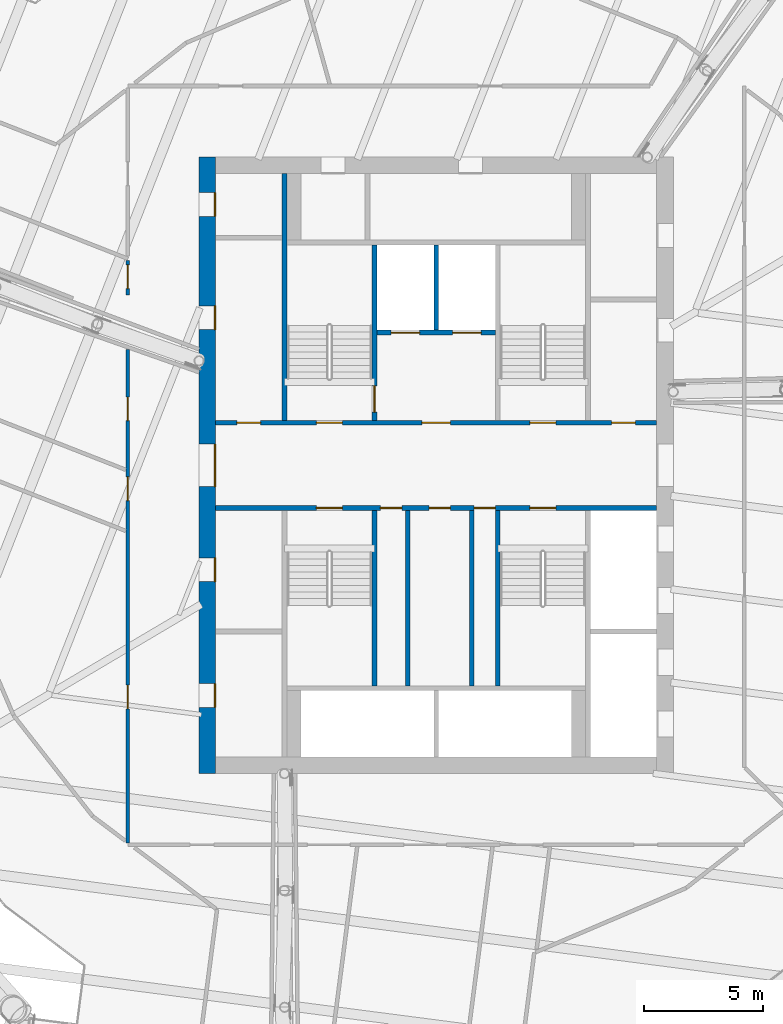
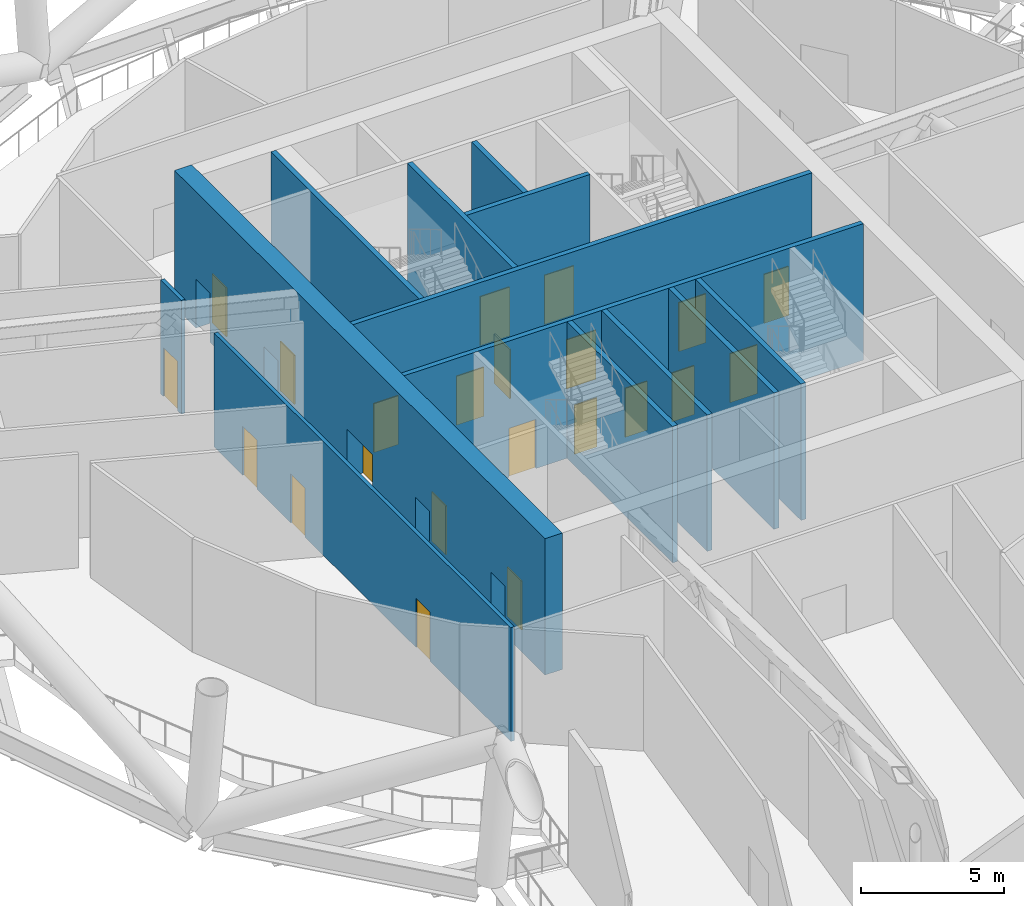
# One storey, part 12 of 36: 22 doors, 13 walls, 22 openings.
"""IFC4 building model written with IfcOpenShell, lengths in metres."""

from ifc_helpers import new_model, si_unit, direction, frame, frame_2d, origin, place, context, subcontext, project, spatial, rectangle, extrude, material, layer, layer_set, type_object, element, fill, save


model = new_model("IFC4")

# Units and contexts
model_context = context("Model", 3, precision=1e-05, world=origin(), true_north=direction((0.0, 1.0)))
body_context = subcontext(model_context, "Body", "Model", "MODEL_VIEW")
ifc_project = project(units=[si_unit("LENGTHUNIT", "METRE"), si_unit("AREAUNIT", "SQUARE_METRE"), si_unit("VOLUMEUNIT", "CUBIC_METRE"), si_unit("PLANEANGLEUNIT", "RADIAN"), si_unit("MASSUNIT", "GRAM", prefix="KILO")], contexts=[model_context])

# Site, building, storey
site_placement = place(None, origin())
site = spatial("IfcSite", under=ifc_project, at=site_placement, CompositionType="ELEMENT")
building_placement = place(site_placement, origin())
building = spatial("IfcBuilding", under=site, at=building_placement, Name="Tarsis Ring Headquarters", CompositionType="ELEMENT")
storey_placement = place(building_placement, frame((0.0, 0.0, 194.39990234375)))
storey = spatial("IfcBuildingStorey", under=building, at=storey_placement, Name="L45", CompositionType="ELEMENT", Elevation=194.39990234375)

# Walls
ifc_material_1 = material(Name="Blockwork", Category="masonry")
ifc_layer_1 = layer(ifc_material_1, 0.199951171875)
ifc_layer_set_1 = layer_set([ifc_layer_1], Name="Core blockwork wall 200")
wall_type_1 = type_object("IfcWallType", Name="Core blockwork wall 200", PredefinedType="PARTITIONING", material=ifc_layer_set_1)
for number, where, z_axis, x_axis, name in (
    (1, (-1.199951171875, -9.300048828125, 0.0), (0.0, 0.0, 1.0), (0.0, 1.0, 0.0), "Core partition SV1"),
    (2, (1.5, -9.300048828125, 0.0), (0.0, 0.0, 1.0), (0.0, 1.0, 0.0), "Core partition SV2"),
):
    element("IfcWall", number, at=place(storey_placement, frame(where, z_axis=z_axis, x_axis=x_axis)), inside=storey, type_object=wall_type_1, Name=name, PredefinedType="PARTITIONING", context=body_context, shape_type="SweptSolid", body=[
        extrude(rectangle(XDim=7.400146484375, YDim=0.199951171875, at=frame_2d((3.7001953125, 0.0))), origin(), (0.0, 0.0, 1.0), 5.840087890625),
    ])

# Wall, openings, doors
ifc_material_2 = material(Name="Concrete C50/60", Category="concrete")
ifc_layer_2 = layer(ifc_material_2, 0.699951171875)
ifc_layer_set_2 = layer_set([ifc_layer_2], Name="Core wall 700 C50/60")
wall_type_2 = type_object("IfcWallType", Name="Core wall 700 C50/60", PredefinedType="SHEAR", material=ifc_layer_set_2)
wall_1_placement = place(storey_placement, frame((-9.64990234375, -13.0, 0.0), z_axis=(0.0, 0.0, 1.0), x_axis=(0.0, 1.0, 0.0)))
wall_1 = element("IfcWall", 3, at=wall_1_placement, inside=storey, type_object=wall_type_2, Name="Core wall OW", PredefinedType="SHEAR", context=body_context, shape_type="SweptSolid", body=[
    extrude(rectangle(XDim=26.0, YDim=0.699951171875, at=frame_2d((13.0, 0.0))), origin(), (0.0, 0.0, 1.0), 5.840087890625),
])
opening_1_placement = place(wall_1_placement, frame((2.800048828125, 0.0, 0.0)))
opening_1 = element("IfcOpeningElement", 4, at=opening_1_placement, cuts=wall_1, Name="Opening L45-C01", PredefinedType="OPENING", context=body_context, shape_type="SweptSolid", body=[
    extrude(rectangle(XDim=1.0, YDim=2.10009765625, at=frame_2d((0.5, 1.050048828125))), frame((0.0, 0.35986328125, 0.0), z_axis=(0.0, -1.0, 0.0), x_axis=(1.0, 0.0, 0.0)), (0.0, 0.0, 1.0), 0.719970703125),
])
opening_2_placement = place(wall_1_placement, frame((8.10009765625, 0.0, 0.0)))
opening_2 = element("IfcOpeningElement", 5, at=opening_2_placement, cuts=wall_1, Name="Opening L45-C02", PredefinedType="OPENING", context=body_context, shape_type="SweptSolid", body=[
    extrude(rectangle(XDim=1.0, YDim=2.10009765625, at=frame_2d((0.5, 1.050048828125))), frame((0.0, 0.35986328125, 0.0), z_axis=(0.0, -1.0, 0.0), x_axis=(1.0, 0.0, 0.0)), (0.0, 0.0, 1.0), 0.719970703125),
])
opening_3_placement = place(wall_1_placement, frame((12.10009765625, 0.0, 0.0)))
opening_3 = element("IfcOpeningElement", 6, at=opening_3_placement, cuts=wall_1, Name="Opening L45-C03", PredefinedType="OPENING", context=body_context, shape_type="SweptSolid", body=[
    extrude(rectangle(XDim=1.800048828125, YDim=2.10009765625, at=frame_2d((0.89990234375, 1.050048828125))), frame((0.0, 0.35986328125, 0.0), z_axis=(0.0, -1.0, 0.0), x_axis=(1.0, 0.0, 0.0)), (0.0, 0.0, 1.0), 0.719970703125),
])
opening_4_placement = place(wall_1_placement, frame((18.72705078125, 0.0, 0.0)))
opening_4 = element("IfcOpeningElement", 7, at=opening_4_placement, cuts=wall_1, Name="Opening L45-C04", PredefinedType="OPENING", context=body_context, shape_type="SweptSolid", body=[
    extrude(rectangle(XDim=1.0, YDim=2.10009765625, at=frame_2d((0.5, 1.050048828125))), frame((0.0, 0.35986328125, 0.0), z_axis=(0.0, -1.0, 0.0), x_axis=(1.0, 0.0, 0.0)), (0.0, 0.0, 1.0), 0.719970703125),
])
opening_5_placement = place(wall_1_placement, frame((23.5, 0.0, 0.0)))
opening_5 = element("IfcOpeningElement", 8, at=opening_5_placement, cuts=wall_1, Name="Opening L45-C05", PredefinedType="OPENING", context=body_context, shape_type="SweptSolid", body=[
    extrude(rectangle(XDim=1.0, YDim=2.10009765625, at=frame_2d((0.5, 1.050048828125))), frame((0.0, 0.35986328125, 0.0), z_axis=(0.0, -1.0, 0.0), x_axis=(1.0, 0.0, 0.0)), (0.0, 0.0, 1.0), 0.719970703125),
])
ifc_material_3 = material(Name="Steel S355", Category="steel")
door_type_1 = type_object("IfcDoorType", Name="Core entry door 1800x2100", OperationType="DOUBLE_DOOR_SINGLE_SWING", PredefinedType="DOOR", material=ifc_material_3)
door_1_placement = place(opening_3_placement, origin())
door_1 = element("IfcDoor", 9, at=door_1_placement, inside=storey, type_object=door_type_1, Name="Core entry door L45", OperationType="DOUBLE_DOOR_SINGLE_SWING", OverallHeight=2.10009765625, OverallWidth=1.800048828125, PredefinedType="DOOR", context=body_context, shape_type="SweptSolid", body=[
    extrude(rectangle(XDim=1.800048828125, YDim=2.10009765625, at=frame_2d((0.89990234375, 1.050048828125))), frame((0.0, -0.2998046875, 0.0), z_axis=(0.0, -1.0, 0.0), x_axis=(1.0, 0.0, 0.0)), (0.0, 0.0, 1.0), 0.050048828125),
])
fill(opening_3, door_1)
door_type_2 = type_object("IfcDoorType", Name="Core room door 1000x2100", OperationType="SINGLE_SWING_LEFT", PredefinedType="DOOR", material=ifc_material_3)
door_2_placement = place(opening_1_placement, origin())
door_2 = element("IfcDoor", 10, at=door_2_placement, inside=storey, type_object=door_type_2, Name="Core room door L45", OperationType="SINGLE_SWING_LEFT", OverallHeight=2.10009765625, OverallWidth=1.0, PredefinedType="DOOR", context=body_context, shape_type="SweptSolid", body=[
    extrude(rectangle(XDim=1.0, YDim=2.10009765625, at=frame_2d((0.5, 1.050048828125))), frame((0.0, -0.2998046875, 0.0), z_axis=(0.0, -1.0, 0.0), x_axis=(1.0, 0.0, 0.0)), (0.0, 0.0, 1.0), 0.050048828125),
])
fill(opening_1, door_2)
door_3_placement = place(opening_2_placement, origin())
door_3 = element("IfcDoor", 11, at=door_3_placement, inside=storey, type_object=door_type_2, Name="Core room door L45", OperationType="SINGLE_SWING_LEFT", OverallHeight=2.10009765625, OverallWidth=1.0, PredefinedType="DOOR", context=body_context, shape_type="SweptSolid", body=[
    extrude(rectangle(XDim=1.0, YDim=2.10009765625, at=frame_2d((0.5, 1.050048828125))), frame((0.0, -0.2998046875, 0.0), z_axis=(0.0, -1.0, 0.0), x_axis=(1.0, 0.0, 0.0)), (0.0, 0.0, 1.0), 0.050048828125),
])
fill(opening_2, door_3)
door_4_placement = place(opening_4_placement, origin())
door_4 = element("IfcDoor", 12, at=door_4_placement, inside=storey, type_object=door_type_2, Name="Core room door L45", OperationType="SINGLE_SWING_LEFT", OverallHeight=2.10009765625, OverallWidth=1.0, PredefinedType="DOOR", context=body_context, shape_type="SweptSolid", body=[
    extrude(rectangle(XDim=1.0, YDim=2.10009765625, at=frame_2d((0.5, 1.050048828125))), frame((0.0, -0.2998046875, 0.0), z_axis=(0.0, -1.0, 0.0), x_axis=(1.0, 0.0, 0.0)), (0.0, 0.0, 1.0), 0.050048828125),
])
fill(opening_4, door_4)
door_5_placement = place(opening_5_placement, origin())
door_5 = element("IfcDoor", 13, at=door_5_placement, inside=storey, type_object=door_type_2, Name="Core room door L45", OperationType="SINGLE_SWING_LEFT", OverallHeight=2.10009765625, OverallWidth=1.0, PredefinedType="DOOR", context=body_context, shape_type="SweptSolid", body=[
    extrude(rectangle(XDim=1.0, YDim=2.10009765625, at=frame_2d((0.5, 1.050048828125))), frame((0.0, -0.2998046875, 0.0), z_axis=(0.0, -1.0, 0.0), x_axis=(1.0, 0.0, 0.0)), (0.0, 0.0, 1.0), 0.050048828125),
])
fill(opening_5, door_5)

ifc_material_4 = material(Name="Gypsum board on steel studs", Category="steel")
ifc_layer_3 = layer(ifc_material_4, 0.14990234375)
ifc_layer_set_3 = layer_set([ifc_layer_3], Name="FL partition 150 EI 120 H4870")
wall_type_3 = type_object("IfcWallType", Name="FL partition 150 EI 120 H4870", PredefinedType="PARTITIONING", material=ifc_layer_set_3)
wall_2_placement = place(storey_placement, frame((-13.0, -15.91796875, 0.0), z_axis=(0.0, 0.0, 1.0), x_axis=(0.0, 1.0, 0.0)))
wall_2 = element("IfcWall", 14, at=wall_2_placement, inside=storey, type_object=wall_type_3, Name="Partition PW2H487", PredefinedType="PARTITIONING", context=body_context, shape_type="SweptSolid", body=[
    extrude(rectangle(XDim=20.806884765625, YDim=0.14990234375, at=frame_2d((10.4033203125, 0.0))), origin(), (0.0, 0.0, 1.0), 4.8701171875),
])
opening_6_placement = place(wall_2_placement, frame((17.801513671875, 0.0, 0.0)))
opening_6 = element("IfcOpeningElement", 15, at=opening_6_placement, cuts=wall_2, Name="Opening D45.02", PredefinedType="OPENING", context=body_context, shape_type="SweptSolid", body=[
    extrude(rectangle(XDim=1.0, YDim=2.10009765625, at=frame_2d((0.5, 1.050048828125))), frame((0.0, 0.0849609375, 0.0), z_axis=(0.0, -1.0, 0.0), x_axis=(1.0, 0.0, 0.0)), (0.0, 0.0, 1.0), 0.169921875),
])
opening_7_placement = place(wall_2_placement, frame((5.648681640625, 0.0, 0.0)))
opening_7 = element("IfcOpeningElement", 16, at=opening_7_placement, cuts=wall_2, Name="Opening D45.03", PredefinedType="OPENING", context=body_context, shape_type="SweptSolid", body=[
    extrude(rectangle(XDim=1.0, YDim=2.10009765625, at=frame_2d((0.5, 1.050048828125))), frame((0.0, 0.0849609375, 0.0), z_axis=(0.0, -1.0, 0.0), x_axis=(1.0, 0.0, 0.0)), (0.0, 0.0, 1.0), 0.169921875),
])
opening_8_placement = place(wall_2_placement, frame((14.435791015625, 0.0, 0.0)))
opening_8 = element("IfcOpeningElement", 17, at=opening_8_placement, cuts=wall_2, Name="Opening D45.14", PredefinedType="OPENING", context=body_context, shape_type="SweptSolid", body=[
    extrude(rectangle(XDim=1.0, YDim=2.10009765625, at=frame_2d((0.5, 1.050048828125))), frame((0.0, 0.0849609375, 0.0), z_axis=(0.0, -1.0, 0.0), x_axis=(1.0, 0.0, 0.0)), (0.0, 0.0, 1.0), 0.169921875),
])
ifc_material_5 = material(Name="Fire-rated timber door leaf in steel frame", Category="steel")
door_type_3 = type_object("IfcDoorType", Name="FL door FD120-1000", OperationType="NOTDEFINED", PredefinedType="DOOR", material=ifc_material_5)
door_6_placement = place(opening_6_placement, origin())
door_6 = element("IfcDoor", 18, at=door_6_placement, inside=storey, type_object=door_type_3, Name="Door D45.02", OperationType="SINGLE_SWING_LEFT", OverallHeight=2.10009765625, OverallWidth=1.0, PredefinedType="DOOR", context=body_context, shape_type="SweptSolid", body=[
    extrude(rectangle(XDim=1.0, YDim=2.10009765625, at=frame_2d((0.5, 1.050048828125))), frame((0.0, 0.02490234375, 0.0), z_axis=(0.0, -1.0, 0.0), x_axis=(1.0, 0.0, 0.0)), (0.0, 0.0, 1.0), 0.050048828125),
])
fill(opening_6, door_6)
door_7_placement = place(opening_7_placement, origin())
door_7 = element("IfcDoor", 19, at=door_7_placement, inside=storey, type_object=door_type_3, Name="Door D45.03", OperationType="SINGLE_SWING_RIGHT", OverallHeight=2.10009765625, OverallWidth=1.0, PredefinedType="DOOR", context=body_context, shape_type="SweptSolid", body=[
    extrude(rectangle(XDim=1.0, YDim=2.10009765625, at=frame_2d((0.5, 1.050048828125))), frame((0.0, 0.02490234375, 0.0), z_axis=(0.0, -1.0, 0.0), x_axis=(1.0, 0.0, 0.0)), (0.0, 0.0, 1.0), 0.050048828125),
])
fill(opening_7, door_7)
door_8_placement = place(opening_8_placement, origin())
door_8 = element("IfcDoor", 20, at=door_8_placement, inside=storey, type_object=door_type_3, Name="Door D45.14", OperationType="SINGLE_SWING_LEFT", OverallHeight=2.10009765625, OverallWidth=1.0, PredefinedType="DOOR", context=body_context, shape_type="SweptSolid", body=[
    extrude(rectangle(XDim=1.0, YDim=2.10009765625, at=frame_2d((0.5, 1.050048828125))), frame((0.0, 0.02490234375, 0.0), z_axis=(0.0, -1.0, 0.0), x_axis=(1.0, 0.0, 0.0)), (0.0, 0.0, 1.0), 0.050048828125),
])
fill(opening_8, door_8)

# Wall, opening, door
wall_3_placement = place(storey_placement, frame((-13.0, 7.193603515625, 0.0), z_axis=(0.0, 0.0, 1.0), x_axis=(0.0, 1.0, 0.0)))
wall_3 = element("IfcWall", 21, at=wall_3_placement, inside=storey, type_object=wall_type_3, Name="Partition PW2H487", PredefinedType="PARTITIONING", context=body_context, shape_type="SweptSolid", body=[
    extrude(rectangle(XDim=1.45068359375, YDim=0.14990234375, at=frame_2d((0.725341796875, 0.0))), origin(), (0.0, 0.0, 1.0), 4.8701171875),
])
opening_9_placement = place(wall_3_placement, frame((0.26025390625, 0.0, 0.0)))
opening_9 = element("IfcOpeningElement", 22, at=opening_9_placement, cuts=wall_3, Name="Opening D45.13", PredefinedType="OPENING", context=body_context, shape_type="SweptSolid", body=[
    extrude(rectangle(XDim=1.0, YDim=2.10009765625, at=frame_2d((0.5, 1.050048828125))), frame((0.0, 0.0849609375, 0.0), z_axis=(0.0, -1.0, 0.0), x_axis=(1.0, 0.0, 0.0)), (0.0, 0.0, 1.0), 0.169921875),
])
door_9_placement = place(opening_9_placement, origin())
door_9 = element("IfcDoor", 23, at=door_9_placement, inside=storey, type_object=door_type_3, Name="Door D45.13", OperationType="SINGLE_SWING_RIGHT", OverallHeight=2.10009765625, OverallWidth=1.0, PredefinedType="DOOR", context=body_context, shape_type="SweptSolid", body=[
    extrude(rectangle(XDim=1.0, YDim=2.10009765625, at=frame_2d((0.5, 1.050048828125))), frame((0.0, 0.02490234375, 0.0), z_axis=(0.0, -1.0, 0.0), x_axis=(1.0, 0.0, 0.0)), (0.0, 0.0, 1.0), 0.050048828125),
])
fill(opening_9, door_9)

# Wall, openings, doors
ifc_material_6 = material(Name="Concrete C32/40", Category="concrete")
ifc_layer_4 = layer(ifc_material_6, 0.199951171875)
ifc_layer_set_4 = layer_set([ifc_layer_4], Name="Shaft wall 200 C32/40")
wall_type_4 = type_object("IfcWallType", Name="Shaft wall 200 C32/40", PredefinedType="SOLIDWALL", material=ifc_layer_set_4)
wall_4_placement = place(storey_placement, frame((-9.300048828125, 1.800048828125, 0.0), z_axis=(0.0, 0.0, 1.0), x_axis=(1.0, 0.0, 0.0)))
wall_4 = element("IfcWall", 24, at=wall_4_placement, inside=storey, type_object=wall_type_4, Name="Core shaft wall CN", PredefinedType="SOLIDWALL", context=body_context, shape_type="SweptSolid", body=[
    extrude(rectangle(XDim=18.60009765625, YDim=0.199951171875, at=frame_2d((9.300048828125, 0.0))), origin(), (0.0, 0.0, 1.0), 5.840087890625),
])
opening_10_placement = place(wall_4_placement, frame((0.89990234375, 0.0, 0.0)))
opening_10 = element("IfcOpeningElement", 25, at=opening_10_placement, cuts=wall_4, Name="Opening L45-C15", PredefinedType="OPENING", context=body_context, shape_type="SweptSolid", body=[
    extrude(rectangle(XDim=1.0, YDim=2.10009765625, at=frame_2d((0.5, 1.050048828125))), frame((0.0, 0.10986328125, 0.0), z_axis=(0.0, -1.0, 0.0), x_axis=(1.0, 0.0, 0.0)), (0.0, 0.0, 1.0), 0.219970703125),
])
opening_11_placement = place(wall_4_placement, frame((4.25, 0.0, 0.0)))
opening_11 = element("IfcOpeningElement", 26, at=opening_11_placement, cuts=wall_4, Name="Opening L45-C16", PredefinedType="OPENING", context=body_context, shape_type="SweptSolid", body=[
    extrude(rectangle(XDim=1.10009765625, YDim=2.10009765625, at=frame_2d((0.550048828125, 1.050048828125))), frame((0.0, 0.10986328125, 0.0), z_axis=(0.0, -1.0, 0.0), x_axis=(1.0, 0.0, 0.0)), (0.0, 0.0, 1.0), 0.219970703125),
])
opening_12_placement = place(wall_4_placement, frame((8.699951171875, 0.0, 0.0)))
opening_12 = element("IfcOpeningElement", 27, at=opening_12_placement, cuts=wall_4, Name="Opening L45-C17", PredefinedType="OPENING", context=body_context, shape_type="SweptSolid", body=[
    extrude(rectangle(XDim=1.199951171875, YDim=2.10009765625, at=frame_2d((0.60009765625, 1.050048828125))), frame((0.0, 0.10986328125, 0.0), z_axis=(0.0, -1.0, 0.0), x_axis=(1.0, 0.0, 0.0)), (0.0, 0.0, 1.0), 0.219970703125),
])
opening_13_placement = place(wall_4_placement, frame((13.25, 0.0, 0.0)))
opening_13 = element("IfcOpeningElement", 28, at=opening_13_placement, cuts=wall_4, Name="Opening L45-C18", PredefinedType="OPENING", context=body_context, shape_type="SweptSolid", body=[
    extrude(rectangle(XDim=1.10009765625, YDim=2.10009765625, at=frame_2d((0.550048828125, 1.050048828125))), frame((0.0, 0.10986328125, 0.0), z_axis=(0.0, -1.0, 0.0), x_axis=(1.0, 0.0, 0.0)), (0.0, 0.0, 1.0), 0.219970703125),
])
opening_14_placement = place(wall_4_placement, frame((16.699951171875, 0.0, 0.0)))
opening_14 = element("IfcOpeningElement", 29, at=opening_14_placement, cuts=wall_4, Name="Opening L45-C19", PredefinedType="OPENING", context=body_context, shape_type="SweptSolid", body=[
    extrude(rectangle(XDim=1.0, YDim=2.10009765625, at=frame_2d((0.5, 1.050048828125))), frame((0.0, 0.10986328125, 0.0), z_axis=(0.0, -1.0, 0.0), x_axis=(1.0, 0.0, 0.0)), (0.0, 0.0, 1.0), 0.219970703125),
])
door_10_placement = place(opening_10_placement, origin())
door_10 = element("IfcDoor", 30, at=door_10_placement, inside=storey, type_object=door_type_2, Name="Core room door L45", OperationType="SINGLE_SWING_LEFT", OverallHeight=2.10009765625, OverallWidth=1.0, PredefinedType="DOOR", context=body_context, shape_type="SweptSolid", body=[
    extrude(rectangle(XDim=1.0, YDim=2.10009765625, at=frame_2d((0.5, 1.050048828125))), frame((0.0, 0.02490234375, 0.0), z_axis=(0.0, -1.0, 0.0), x_axis=(1.0, 0.0, 0.0)), (0.0, 0.0, 1.0), 0.050048828125),
])
fill(opening_10, door_10)
door_11_placement = place(opening_14_placement, origin())
door_11 = element("IfcDoor", 31, at=door_11_placement, inside=storey, type_object=door_type_2, Name="Core room door L45", OperationType="SINGLE_SWING_LEFT", OverallHeight=2.10009765625, OverallWidth=1.0, PredefinedType="DOOR", context=body_context, shape_type="SweptSolid", body=[
    extrude(rectangle(XDim=1.0, YDim=2.10009765625, at=frame_2d((0.5, 1.050048828125))), frame((0.0, 0.02490234375, 0.0), z_axis=(0.0, -1.0, 0.0), x_axis=(1.0, 0.0, 0.0)), (0.0, 0.0, 1.0), 0.050048828125),
])
fill(opening_14, door_11)
door_type_4 = type_object("IfcDoorType", Name="Firefighting lobby door 1200x2100", OperationType="DOUBLE_DOOR_SINGLE_SWING", PredefinedType="DOOR", material=ifc_material_3)
door_12_placement = place(opening_12_placement, origin())
door_12 = element("IfcDoor", 32, at=door_12_placement, inside=storey, type_object=door_type_4, Name="Firefighting lobby door L45", OperationType="DOUBLE_DOOR_SINGLE_SWING", OverallHeight=2.10009765625, OverallWidth=1.199951171875, PredefinedType="DOOR", context=body_context, shape_type="SweptSolid", body=[
    extrude(rectangle(XDim=1.199951171875, YDim=2.10009765625, at=frame_2d((0.60009765625, 1.050048828125))), frame((0.0, 0.02490234375, 0.0), z_axis=(0.0, -1.0, 0.0), x_axis=(1.0, 0.0, 0.0)), (0.0, 0.0, 1.0), 0.050048828125),
])
fill(opening_12, door_12)
door_type_5 = type_object("IfcDoorType", Name="Stair door 1100x2100", OperationType="SINGLE_SWING_LEFT", PredefinedType="DOOR", material=ifc_material_3)
door_13_placement = place(opening_11_placement, origin())
door_13 = element("IfcDoor", 33, at=door_13_placement, inside=storey, type_object=door_type_5, Name="Stair door L45", OperationType="SINGLE_SWING_LEFT", OverallHeight=2.10009765625, OverallWidth=1.10009765625, PredefinedType="DOOR", context=body_context, shape_type="SweptSolid", body=[
    extrude(rectangle(XDim=1.10009765625, YDim=2.10009765625, at=frame_2d((0.550048828125, 1.050048828125))), frame((0.0, 0.02490234375, 0.0), z_axis=(0.0, -1.0, 0.0), x_axis=(1.0, 0.0, 0.0)), (0.0, 0.0, 1.0), 0.050048828125),
])
fill(opening_11, door_13)
door_14_placement = place(opening_13_placement, origin())
door_14 = element("IfcDoor", 34, at=door_14_placement, inside=storey, type_object=door_type_5, Name="Stair door L45", OperationType="SINGLE_SWING_LEFT", OverallHeight=2.10009765625, OverallWidth=1.10009765625, PredefinedType="DOOR", context=body_context, shape_type="SweptSolid", body=[
    extrude(rectangle(XDim=1.10009765625, YDim=2.10009765625, at=frame_2d((0.550048828125, 1.050048828125))), frame((0.0, 0.02490234375, 0.0), z_axis=(0.0, -1.0, 0.0), x_axis=(1.0, 0.0, 0.0)), (0.0, 0.0, 1.0), 0.050048828125),
])
fill(opening_13, door_14)

wall_5_placement = place(storey_placement, frame((-9.300048828125, -1.800048828125, 0.0), z_axis=(0.0, 0.0, 1.0), x_axis=(1.0, 0.0, 0.0)))
wall_5 = element("IfcWall", 35, at=wall_5_placement, inside=storey, type_object=wall_type_4, Name="Core shaft wall CS", PredefinedType="SOLIDWALL", context=body_context, shape_type="SweptSolid", body=[
    extrude(rectangle(XDim=18.60009765625, YDim=0.199951171875, at=frame_2d((9.300048828125, 0.0))), origin(), (0.0, 0.0, 1.0), 5.840087890625),
])
opening_15_placement = place(wall_5_placement, frame((4.25, 0.0, 0.0)))
opening_15 = element("IfcOpeningElement", 36, at=opening_15_placement, cuts=wall_5, Name="Opening L45-C20", PredefinedType="OPENING", context=body_context, shape_type="SweptSolid", body=[
    extrude(rectangle(XDim=1.10009765625, YDim=2.10009765625, at=frame_2d((0.550048828125, 1.050048828125))), frame((0.0, 0.10986328125, 0.0), z_axis=(0.0, -1.0, 0.0), x_axis=(1.0, 0.0, 0.0)), (0.0, 0.0, 1.0), 0.219970703125),
])
opening_16_placement = place(wall_5_placement, frame((6.949951171875, 0.0, 0.0)))
opening_16 = element("IfcOpeningElement", 37, at=opening_16_placement, cuts=wall_5, Name="Opening L45-C21", PredefinedType="OPENING", context=body_context, shape_type="SweptSolid", body=[
    extrude(rectangle(XDim=0.89990234375, YDim=2.10009765625, at=frame_2d((0.449951171875, 1.050048828125))), frame((0.0, 0.10986328125, 0.0), z_axis=(0.0, -1.0, 0.0), x_axis=(1.0, 0.0, 0.0)), (0.0, 0.0, 1.0), 0.219970703125),
])
opening_17_placement = place(wall_5_placement, frame((9.0, 0.0, 0.0)))
opening_17 = element("IfcOpeningElement", 38, at=opening_17_placement, cuts=wall_5, Name="Opening L45-C22", PredefinedType="OPENING", context=body_context, shape_type="SweptSolid", body=[
    extrude(rectangle(XDim=0.89990234375, YDim=2.10009765625, at=frame_2d((0.449951171875, 1.050048828125))), frame((0.0, 0.10986328125, 0.0), z_axis=(0.0, -1.0, 0.0), x_axis=(1.0, 0.0, 0.0)), (0.0, 0.0, 1.0), 0.219970703125),
])
opening_18_placement = place(wall_5_placement, frame((10.89990234375, 0.0, 0.0)))
opening_18 = element("IfcOpeningElement", 39, at=opening_18_placement, cuts=wall_5, Name="Opening L45-C23", PredefinedType="OPENING", context=body_context, shape_type="SweptSolid", body=[
    extrude(rectangle(XDim=0.89990234375, YDim=2.10009765625, at=frame_2d((0.449951171875, 1.050048828125))), frame((0.0, 0.10986328125, 0.0), z_axis=(0.0, -1.0, 0.0), x_axis=(1.0, 0.0, 0.0)), (0.0, 0.0, 1.0), 0.219970703125),
])
opening_19_placement = place(wall_5_placement, frame((13.25, 0.0, 0.0)))
opening_19 = element("IfcOpeningElement", 40, at=opening_19_placement, cuts=wall_5, Name="Opening L45-C24", PredefinedType="OPENING", context=body_context, shape_type="SweptSolid", body=[
    extrude(rectangle(XDim=1.10009765625, YDim=2.10009765625, at=frame_2d((0.550048828125, 1.050048828125))), frame((0.0, 0.10986328125, 0.0), z_axis=(0.0, -1.0, 0.0), x_axis=(1.0, 0.0, 0.0)), (0.0, 0.0, 1.0), 0.219970703125),
])
door_15_placement = place(opening_15_placement, origin())
door_15 = element("IfcDoor", 41, at=door_15_placement, inside=storey, type_object=door_type_5, Name="Stair door L45", OperationType="SINGLE_SWING_LEFT", OverallHeight=2.10009765625, OverallWidth=1.10009765625, PredefinedType="DOOR", context=body_context, shape_type="SweptSolid", body=[
    extrude(rectangle(XDim=1.10009765625, YDim=2.10009765625, at=frame_2d((0.550048828125, 1.050048828125))), frame((0.0, 0.02490234375, 0.0), z_axis=(0.0, -1.0, 0.0), x_axis=(1.0, 0.0, 0.0)), (0.0, 0.0, 1.0), 0.050048828125),
])
fill(opening_15, door_15)
door_16_placement = place(opening_19_placement, origin())
door_16 = element("IfcDoor", 42, at=door_16_placement, inside=storey, type_object=door_type_5, Name="Stair door L45", OperationType="SINGLE_SWING_LEFT", OverallHeight=2.10009765625, OverallWidth=1.10009765625, PredefinedType="DOOR", context=body_context, shape_type="SweptSolid", body=[
    extrude(rectangle(XDim=1.10009765625, YDim=2.10009765625, at=frame_2d((0.550048828125, 1.050048828125))), frame((0.0, 0.02490234375, 0.0), z_axis=(0.0, -1.0, 0.0), x_axis=(1.0, 0.0, 0.0)), (0.0, 0.0, 1.0), 0.050048828125),
])
fill(opening_19, door_16)
door_type_6 = type_object("IfcDoorType", Name="WC door 900x2100", OperationType="SINGLE_SWING_LEFT", PredefinedType="DOOR", material=ifc_material_3)
door_17_placement = place(opening_16_placement, origin())
door_17 = element("IfcDoor", 43, at=door_17_placement, inside=storey, type_object=door_type_6, Name="WC door L45", OperationType="SINGLE_SWING_LEFT", OverallHeight=2.10009765625, OverallWidth=0.89990234375, PredefinedType="DOOR", context=body_context, shape_type="SweptSolid", body=[
    extrude(rectangle(XDim=0.89990234375, YDim=2.10009765625, at=frame_2d((0.449951171875, 1.050048828125))), frame((0.0, 0.02490234375, 0.0), z_axis=(0.0, -1.0, 0.0), x_axis=(1.0, 0.0, 0.0)), (0.0, 0.0, 1.0), 0.050048828125),
])
fill(opening_16, door_17)
door_18_placement = place(opening_17_placement, origin())
door_18 = element("IfcDoor", 44, at=door_18_placement, inside=storey, type_object=door_type_6, Name="WC door L45", OperationType="SINGLE_SWING_LEFT", OverallHeight=2.10009765625, OverallWidth=0.89990234375, PredefinedType="DOOR", context=body_context, shape_type="SweptSolid", body=[
    extrude(rectangle(XDim=0.89990234375, YDim=2.10009765625, at=frame_2d((0.449951171875, 1.050048828125))), frame((0.0, 0.02490234375, 0.0), z_axis=(0.0, -1.0, 0.0), x_axis=(1.0, 0.0, 0.0)), (0.0, 0.0, 1.0), 0.050048828125),
])
fill(opening_17, door_18)
door_19_placement = place(opening_18_placement, origin())
door_19 = element("IfcDoor", 45, at=door_19_placement, inside=storey, type_object=door_type_6, Name="WC door L45", OperationType="SINGLE_SWING_LEFT", OverallHeight=2.10009765625, OverallWidth=0.89990234375, PredefinedType="DOOR", context=body_context, shape_type="SweptSolid", body=[
    extrude(rectangle(XDim=0.89990234375, YDim=2.10009765625, at=frame_2d((0.449951171875, 1.050048828125))), frame((0.0, 0.02490234375, 0.0), z_axis=(0.0, -1.0, 0.0), x_axis=(1.0, 0.0, 0.0)), (0.0, 0.0, 1.0), 0.050048828125),
])
fill(opening_18, door_19)

# Wall
wall_6_placement = place(storey_placement, frame((-6.39990234375, 1.89990234375, 0.0), z_axis=(0.0, 0.0, 1.0), x_axis=(0.0, 1.0, 0.0)))
element("IfcWall", 46, at=wall_6_placement, inside=storey, type_object=wall_type_4, Name="Core shaft wall WB2", PredefinedType="SOLIDWALL", context=body_context, shape_type="SweptSolid", body=[
    extrude(rectangle(XDim=10.400146484375, YDim=0.199951171875, at=frame_2d((5.2001953125, 0.0))), origin(), (0.0, 0.0, 1.0), 5.840087890625),
])

# Wall, opening, door
wall_7_placement = place(storey_placement, frame((-2.60009765625, 1.89990234375, 0.0), z_axis=(0.0, 0.0, 1.0), x_axis=(0.0, 1.0, 0.0)))
wall_7 = element("IfcWall", 47, at=wall_7_placement, inside=storey, type_object=wall_type_4, Name="Core shaft wall SW1", PredefinedType="SOLIDWALL", context=body_context, shape_type="SweptSolid", body=[
    extrude(rectangle(XDim=7.400146484375, YDim=0.199951171875, at=frame_2d((3.7001953125, 0.0))), origin(), (0.0, 0.0, 1.0), 5.840087890625),
])
opening_20_placement = place(wall_7_placement, frame((0.35009765625, 0.0, 0.0)))
opening_20 = element("IfcOpeningElement", 48, at=opening_20_placement, cuts=wall_7, Name="Opening L45-C25", PredefinedType="OPENING", context=body_context, shape_type="SweptSolid", body=[
    extrude(rectangle(XDim=1.10009765625, YDim=2.10009765625, at=frame_2d((0.550048828125, 1.050048828125))), frame((0.0, 0.10986328125, 0.0), z_axis=(0.0, -1.0, 0.0), x_axis=(1.0, 0.0, 0.0)), (0.0, 0.0, 1.0), 0.219970703125),
])
door_20_placement = place(opening_20_placement, origin())
door_20 = element("IfcDoor", 49, at=door_20_placement, inside=storey, type_object=door_type_5, Name="Stair door L45", OperationType="SINGLE_SWING_LEFT", OverallHeight=2.10009765625, OverallWidth=1.10009765625, PredefinedType="DOOR", context=body_context, shape_type="SweptSolid", body=[
    extrude(rectangle(XDim=1.10009765625, YDim=2.10009765625, at=frame_2d((0.550048828125, 1.050048828125))), frame((0.0, 0.02490234375, 0.0), z_axis=(0.0, -1.0, 0.0), x_axis=(1.0, 0.0, 0.0)), (0.0, 0.0, 1.0), 0.050048828125),
])
fill(opening_20, door_20)

# Walls
for number, where, z_axis, x_axis, name in (
    (50, (-2.60009765625, -9.300048828125, 0.0), (0.0, 0.0, 1.0), (0.0, 1.0, 0.0), "Core shaft wall SW3"),
    (51, (2.60009765625, -9.300048828125, 0.0), (0.0, 0.0, 1.0), (0.0, 1.0, 0.0), "Core shaft wall SW4"),
):
    element("IfcWall", number, at=place(storey_placement, frame(where, z_axis=z_axis, x_axis=x_axis)), inside=storey, type_object=wall_type_4, Name=name, PredefinedType="SOLIDWALL", context=body_context, shape_type="SweptSolid", body=[
        extrude(rectangle(XDim=7.400146484375, YDim=0.199951171875, at=frame_2d((3.7001953125, 0.0))), origin(), (0.0, 0.0, 1.0), 5.840087890625),
    ])

# Wall, openings, doors
wall_8_placement = place(storey_placement, frame((-2.5, 5.60009765625, 0.0), z_axis=(0.0, 0.0, 1.0), x_axis=(1.0, 0.0, 0.0)))
wall_8 = element("IfcWall", 52, at=wall_8_placement, inside=storey, type_object=wall_type_4, Name="Core shaft wall FFN", PredefinedType="SOLIDWALL", context=body_context, shape_type="SweptSolid", body=[
    extrude(rectangle(XDim=5.0, YDim=0.199951171875, at=frame_2d((2.5, 0.0))), origin(), (0.0, 0.0, 1.0), 5.840087890625),
])
opening_21_placement = place(wall_8_placement, frame((0.60009765625, 0.0, 0.0)))
opening_21 = element("IfcOpeningElement", 53, at=opening_21_placement, cuts=wall_8, Name="Opening LDF-1", PredefinedType="OPENING", context=body_context, shape_type="SweptSolid", body=[
    extrude(rectangle(XDim=1.199951171875, YDim=2.10009765625, at=frame_2d((0.60009765625, 1.050048828125))), frame((0.0, 0.10986328125, 0.0), z_axis=(0.0, -1.0, 0.0), x_axis=(1.0, 0.0, 0.0)), (0.0, 0.0, 1.0), 0.219970703125),
])
opening_22_placement = place(wall_8_placement, frame((3.199951171875, 0.0, 0.0)))
opening_22 = element("IfcOpeningElement", 54, at=opening_22_placement, cuts=wall_8, Name="Opening LDF-2", PredefinedType="OPENING", context=body_context, shape_type="SweptSolid", body=[
    extrude(rectangle(XDim=1.199951171875, YDim=2.10009765625, at=frame_2d((0.60009765625, 1.050048828125))), frame((0.0, 0.10986328125, 0.0), z_axis=(0.0, -1.0, 0.0), x_axis=(1.0, 0.0, 0.0)), (0.0, 0.0, 1.0), 0.219970703125),
])
door_type_7 = type_object("IfcDoorType", Name="Firefighting landing door 1200x2100", OperationType="SLIDING_TO_LEFT", PredefinedType="DOOR", material=ifc_material_3)
door_21_placement = place(opening_21_placement, origin())
door_21 = element("IfcDoor", 55, at=door_21_placement, inside=storey, type_object=door_type_7, Name="Landing door FF1 L45", OperationType="SLIDING_TO_LEFT", OverallHeight=2.10009765625, OverallWidth=1.199951171875, PredefinedType="DOOR", context=body_context, shape_type="SweptSolid", body=[
    extrude(rectangle(XDim=1.199951171875, YDim=2.10009765625, at=frame_2d((0.60009765625, 1.050048828125))), frame((0.0, 0.02490234375, 0.0), z_axis=(0.0, -1.0, 0.0), x_axis=(1.0, 0.0, 0.0)), (0.0, 0.0, 1.0), 0.050048828125),
])
fill(opening_21, door_21)
door_22_placement = place(opening_22_placement, origin())
door_22 = element("IfcDoor", 56, at=door_22_placement, inside=storey, type_object=door_type_7, Name="Landing door FF2 L45", OperationType="SLIDING_TO_LEFT", OverallHeight=2.10009765625, OverallWidth=1.199951171875, PredefinedType="DOOR", context=body_context, shape_type="SweptSolid", body=[
    extrude(rectangle(XDim=1.199951171875, YDim=2.10009765625, at=frame_2d((0.60009765625, 1.050048828125))), frame((0.0, 0.02490234375, 0.0), z_axis=(0.0, -1.0, 0.0), x_axis=(1.0, 0.0, 0.0)), (0.0, 0.0, 1.0), 0.050048828125),
])
fill(opening_22, door_22)

# Wall
wall_9_placement = place(storey_placement, frame((0.0, 5.699951171875, 0.0), z_axis=(0.0, 0.0, 1.0), x_axis=(0.0, 1.0, 0.0)))
element("IfcWall", 57, at=wall_9_placement, inside=storey, type_object=wall_type_4, Name="Core shaft wall FFD", PredefinedType="SOLIDWALL", context=body_context, shape_type="SweptSolid", body=[
    extrude(rectangle(XDim=3.60009765625, YDim=0.199951171875, at=frame_2d((1.800048828125, 0.0))), origin(), (0.0, 0.0, 1.0), 5.840087890625),
])

save(model, "model.ifc")
